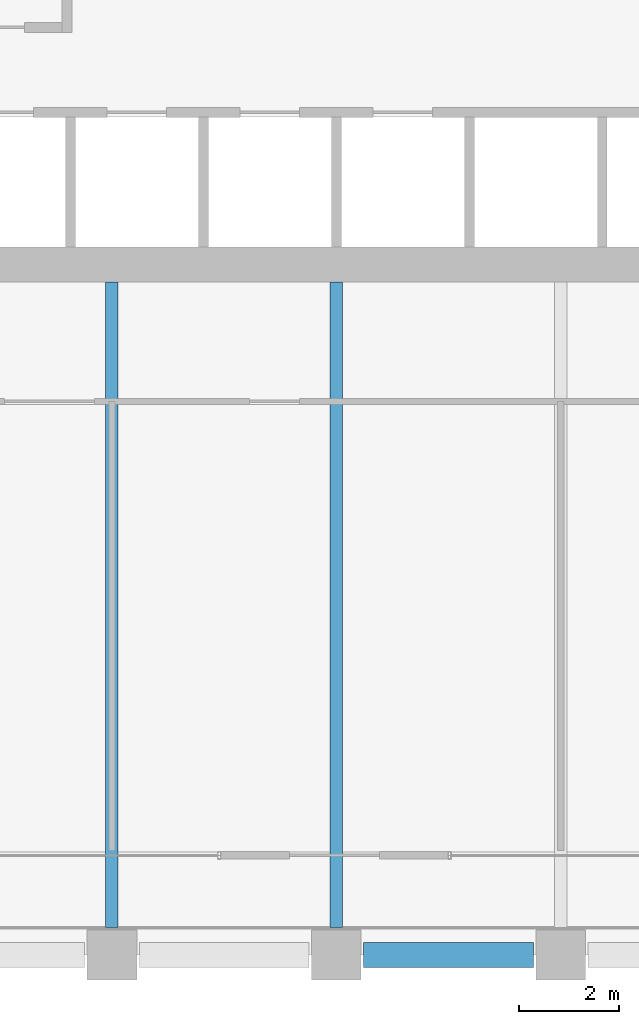
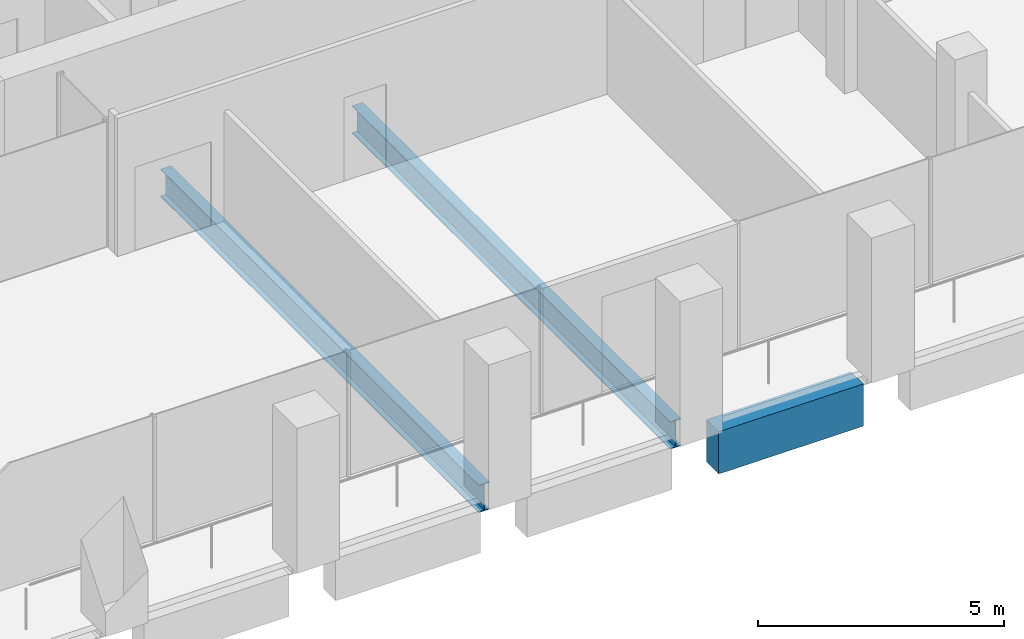
# One storey, part 8 of 52: 3 beams.
"""IFC4 building model written with IfcOpenShell, lengths in metres."""

from ifc_helpers import new_model, si_unit, direction, frame, origin, origin_2d, place, context, subcontext, project, spatial, rectangle, i_section, extrude, material, material_profile, profile_set, type_object, element, save


model = new_model("IFC4")

# Units and contexts
model_context = context("Model", 3, precision=1e-05, world=origin(), true_north=direction((0.0, 1.0)))
body_context = subcontext(model_context, "Body", "Model", "MODEL_VIEW")
ifc_project = project(units=[si_unit("LENGTHUNIT", "METRE"), si_unit("AREAUNIT", "SQUARE_METRE"), si_unit("VOLUMEUNIT", "CUBIC_METRE"), si_unit("PLANEANGLEUNIT", "RADIAN"), si_unit("MASSUNIT", "GRAM", prefix="KILO")], contexts=[model_context])

# Site, building, storey
site_placement = place(None, origin())
site = spatial("IfcSite", under=ifc_project, at=site_placement, CompositionType="ELEMENT")
building_placement = place(site_placement, origin())
building = spatial("IfcBuilding", under=site, at=building_placement, Name="Altepetl Exchange Towers", CompositionType="ELEMENT")
storey_placement = place(building_placement, frame((0.0, 0.0, 92.0)))
storey = spatial("IfcBuildingStorey", under=building, at=storey_placement, Name="L22", CompositionType="ELEMENT", Elevation=92.0)

# Beams
ifc_material_1 = material(Name="Steel S355", Category="steel")
ifc_material_profile_1 = material_profile(ifc_material_1, i_section(OverallWidth=0.25390625, OverallDepth=0.68408203125, WebThickness=0.012451171875, FlangeThickness=0.018798828125, at=origin_2d()), Name="W27X94")
ifc_profile_set_1 = profile_set([ifc_material_profile_1], Name="Steel S355")
beam_type_1 = type_object("IfcBeamType", Name="Floor beam W27X94", PredefinedType="BEAM", material=ifc_profile_set_1)
for number, where, z_axis, x_axis, name in (
    (1, (45.0, 27.550048828125, -0.491943359375), (0.0, 1.0, 0.0), (-1.0, 0.0, 0.0), "bm:A:L22:015"),
    (2, (49.5, 27.550048828125, -0.491943359375), (0.0, 1.0, 0.0), (-1.0, 0.0, 0.0), "bm:A:L22:016"),
):
    element("IfcBeam", number, at=place(storey_placement, frame(where, z_axis=z_axis, x_axis=x_axis)), inside=storey, type_object=beam_type_1, Name=name, PredefinedType="BEAM", context=body_context, shape_type="SweptSolid", body=[
        extrude(i_section(OverallWidth=0.25390625, OverallDepth=0.68408203125, WebThickness=0.012451171875, FlangeThickness=0.018798828125, at=origin_2d()), origin(), (0.0, 0.0, 1.0), 12.949951171875),
    ])
ifc_material_2 = material(Name="Concrete C50/60 precast with cantera blanca facing", Category="concrete")
ifc_material_profile_2 = material_profile(ifc_material_2, rectangle(XDim=0.5, YDim=1.050048828125, at=origin_2d()), Name="500 x 1050")
ifc_profile_set_2 = profile_set([ifc_material_profile_2], Name="Concrete C50/60 precast with cantera blanca facing")
beam_type_2 = type_object("IfcBeamType", Name="Spandrel beam 500x1050 cantera blanca", PredefinedType="SPANDREL", material=ifc_profile_set_2)
beam_placement = place(storey_placement, frame((50.050048828125, 27.0, -0.675048828125), z_axis=(1.0, 0.0, 0.0), x_axis=(0.0, 1.0, 0.0)))
element("IfcBeam", 3, at=beam_placement, inside=storey, type_object=beam_type_2, Name="sp:A:L22:004", PredefinedType="SPANDREL", context=body_context, shape_type="SweptSolid", body=[
    extrude(rectangle(XDim=0.5, YDim=1.050048828125, at=origin_2d()), origin(), (0.0, 0.0, 1.0), 3.39990234375),
])

save(model, "model.ifc")
